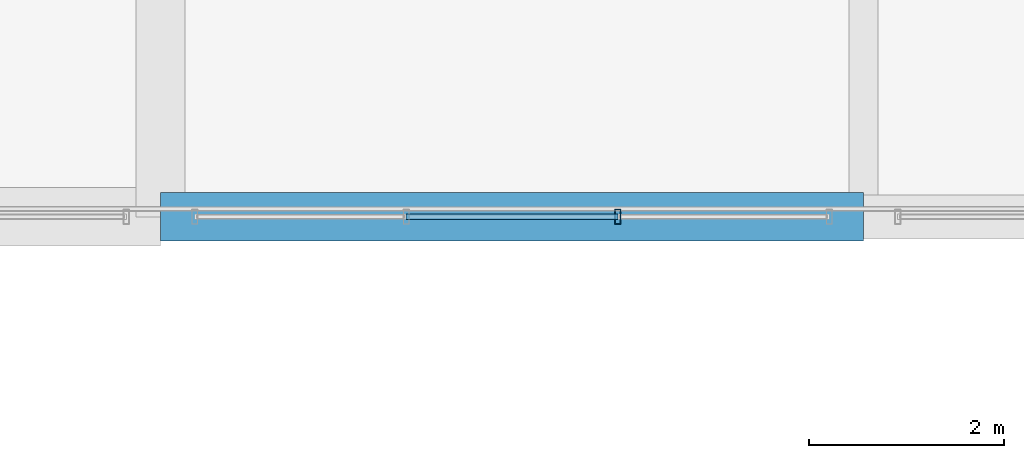
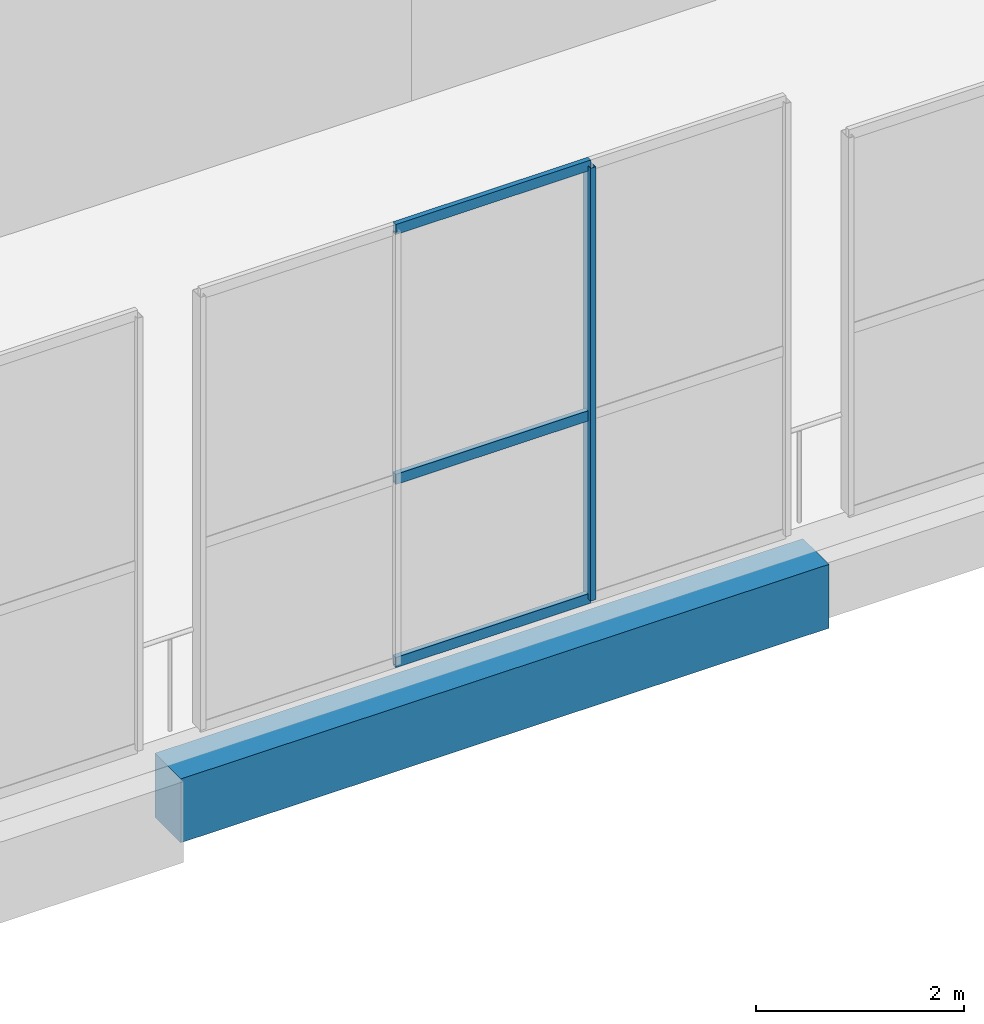
# One storey, part 95 of 141: 4 members, 1 beam, 1 element without a shape of its own.
"""IFC4 building model written with IfcOpenShell, lengths in metres."""

from ifc_helpers import new_model, si_unit, direction, frame, origin, origin_2d, place, context, subcontext, project, spatial, rectangle, hollow_rectangle, extrude, material, layer, layer_set, material_profile, profile_set, type_object, element, aggregate, save


model = new_model("IFC4")

# Units and contexts
model_context = context("Model", 3, precision=1e-05, world=origin(), true_north=direction((0.0, 1.0)))
body_context = subcontext(model_context, "Body", "Model", "MODEL_VIEW")
ifc_project = project(units=[si_unit("LENGTHUNIT", "METRE"), si_unit("AREAUNIT", "SQUARE_METRE"), si_unit("VOLUMEUNIT", "CUBIC_METRE"), si_unit("PLANEANGLEUNIT", "RADIAN"), si_unit("MASSUNIT", "GRAM", prefix="KILO")], contexts=[model_context])

# Site, building, storey
site_placement = place(None, origin())
site = spatial("IfcSite", under=ifc_project, at=site_placement, CompositionType="ELEMENT")
building_placement = place(site_placement, origin())
building = spatial("IfcBuilding", under=site, at=building_placement, Name="Sundgate Opera House", CompositionType="ELEMENT")
storey_placement = place(building_placement, frame((0.0, 0.0, 11.39990234375)))
storey = spatial("IfcBuildingStorey", under=building, at=storey_placement, Name="L02", CompositionType="ELEMENT", Elevation=11.39990234375)

# Beam
ifc_material_1 = material(Name="Concrete C40/50", Category="concrete")
ifc_material_profile_1 = material_profile(ifc_material_1, rectangle(XDim=0.5, YDim=0.75, at=origin_2d()), Name="RC 500x750")
ifc_profile_set_1 = profile_set([ifc_material_profile_1], Name="Concrete C40/50")
beam_type = type_object("IfcBeamType", Name="BM-RC-500x750", PredefinedType="BEAM", material=ifc_profile_set_1)
beam_placement = place(storey_placement, frame((138.60009765625, 111.75, -0.724853515625), z_axis=(1.0, 0.0, 0.0), x_axis=(0.0, 1.0, 0.0)))
element("IfcBeam", 1, at=beam_placement, inside=storey, type_object=beam_type, Name="L02 Primary E-W Girder B2109", PredefinedType="BEAM", context=body_context, shape_type="SweptSolid", body=[
    extrude(rectangle(XDim=0.5, YDim=0.75, at=origin_2d()), origin(), (0.0, 0.0, 1.0), 7.199951171875),
])

# Curtain wall, members
ifc_material_2 = material(Name="Anodized aluminium and low-iron glass", Category="aluminium")
ifc_layer = layer(ifc_material_2, 0.159912109375)
ifc_layer_set = layer_set([ifc_layer], Name="Anodized aluminium and low-iron glass")
curtain_wall_type = type_object("IfcCurtainWallType", Name="CW-STUDIO-DARK", PredefinedType="NOTDEFINED", material=ifc_layer_set)
curtain_wall_placement = place(storey_placement, origin())
curtain_wall = element("IfcCurtainWall", 2, at=curtain_wall_placement, inside=storey, type_object=curtain_wall_type, Name="L02 Curtain Wall CW113", PredefinedType="NOTDEFINED")
ifc_material_3 = material(Name="Anodized aluminium EN AW-6063", Category="aluminium")
ifc_material_profile_2 = material_profile(ifc_material_3, hollow_rectangle(XDim=0.06005859375, YDim=0.14990234375, WallThickness=0.00390625, at=origin_2d()), Name="CWM 150x60x4")
ifc_profile_set_2 = profile_set([ifc_material_profile_2], Name="Anodized aluminium EN AW-6063")
member_type_1 = type_object("IfcMemberType", Name="CWM-ALU-150x60", PredefinedType="MULLION", material=ifc_profile_set_2)
member_1_placement = place(storey_placement, frame((143.283447265625, 111.75, 0.0), z_axis=(0.0, 0.0, 1.0), x_axis=(1.0, 0.0, 0.0)))
member_1 = element("IfcMember", 3, at=member_1_placement, type_object=member_type_1, Name="CW113 Mullion 2", PredefinedType="MULLION", context=body_context, shape_type="SweptSolid", body=[
    extrude(hollow_rectangle(XDim=0.06005859375, YDim=0.14990234375, WallThickness=0.00390625, at=origin_2d()), origin(), (0.0, 0.0, 1.0), 5.085205078125),
])
ifc_material_4 = material(Name="Anodized aluminium EN AW-6063", Category="aluminium")
ifc_material_profile_3 = material_profile(ifc_material_4, hollow_rectangle(XDim=0.054931640625, YDim=0.1201171875, WallThickness=0.00390625, at=origin_2d()), Name="CWT 120x55x4")
ifc_profile_set_3 = profile_set([ifc_material_profile_3], Name="Anodized aluminium EN AW-6063")
member_type_2 = type_object("IfcMemberType", Name="CWT-ALU-120x55", PredefinedType="USERDEFINED", material=ifc_profile_set_3)
member_2_placement = place(storey_placement, frame((143.283447265625, 111.75, 0.0), z_axis=(-1.0, 0.0, 0.0), x_axis=(0.0, -1.0, 0.0)))
member_2 = element("IfcMember", 4, at=member_2_placement, type_object=member_type_2, Name="CW113 Transom 4", ObjectType="TRANSOM", PredefinedType="USERDEFINED", context=body_context, shape_type="SweptSolid", body=[
    extrude(hollow_rectangle(XDim=0.054931640625, YDim=0.1201171875, WallThickness=0.00390625, at=origin_2d()), origin(), (0.0, 0.0, 1.0), 2.166748046875),
])
member_3_placement = place(storey_placement, frame((143.283447265625, 111.75, 2.150146484375), z_axis=(-1.0, 0.0, 0.0), x_axis=(0.0, -1.0, 0.0)))
member_3 = element("IfcMember", 5, at=member_3_placement, type_object=member_type_2, Name="CW113 Transom 5", ObjectType="TRANSOM", PredefinedType="USERDEFINED", context=body_context, shape_type="SweptSolid", body=[
    extrude(hollow_rectangle(XDim=0.054931640625, YDim=0.1201171875, WallThickness=0.00390625, at=origin_2d()), origin(), (0.0, 0.0, 1.0), 2.166748046875),
])
member_4_placement = place(storey_placement, frame((143.283447265625, 111.75, 5.085205078125), z_axis=(-1.0, 0.0, 0.0), x_axis=(0.0, -1.0, 0.0)))
member_4 = element("IfcMember", 6, at=member_4_placement, type_object=member_type_2, Name="CW113 Transom 6", ObjectType="TRANSOM", PredefinedType="USERDEFINED", context=body_context, shape_type="SweptSolid", body=[
    extrude(hollow_rectangle(XDim=0.054931640625, YDim=0.1201171875, WallThickness=0.00390625, at=origin_2d()), origin(), (0.0, 0.0, 1.0), 2.166748046875),
])
aggregate(curtain_wall, [member_1, member_2, member_3, member_4])

save(model, "model.ifc")
